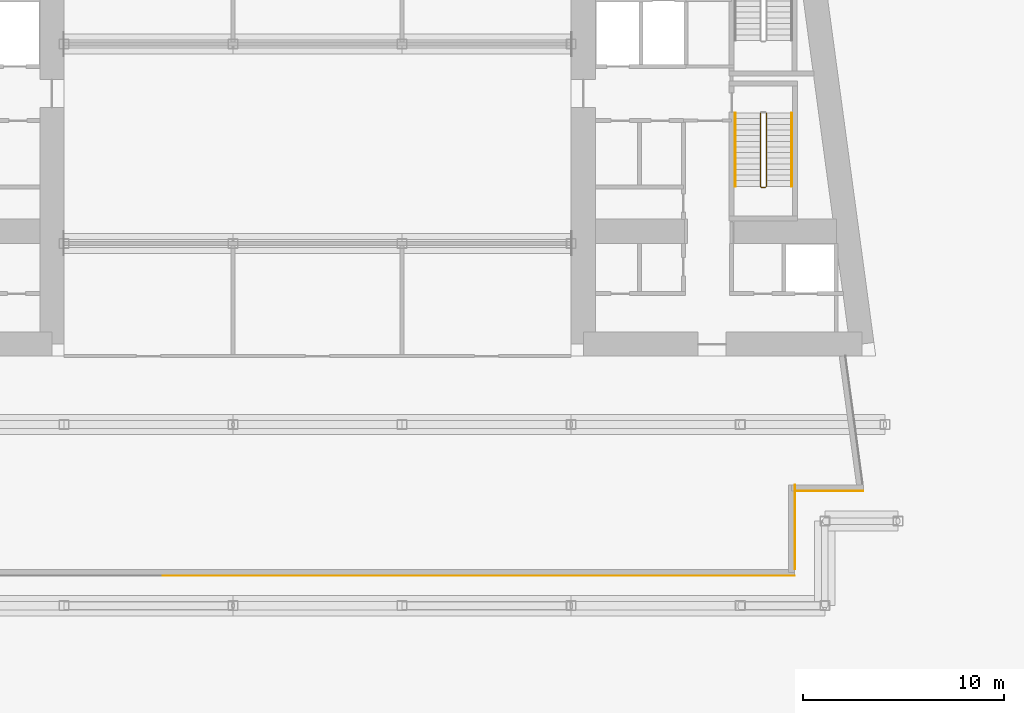
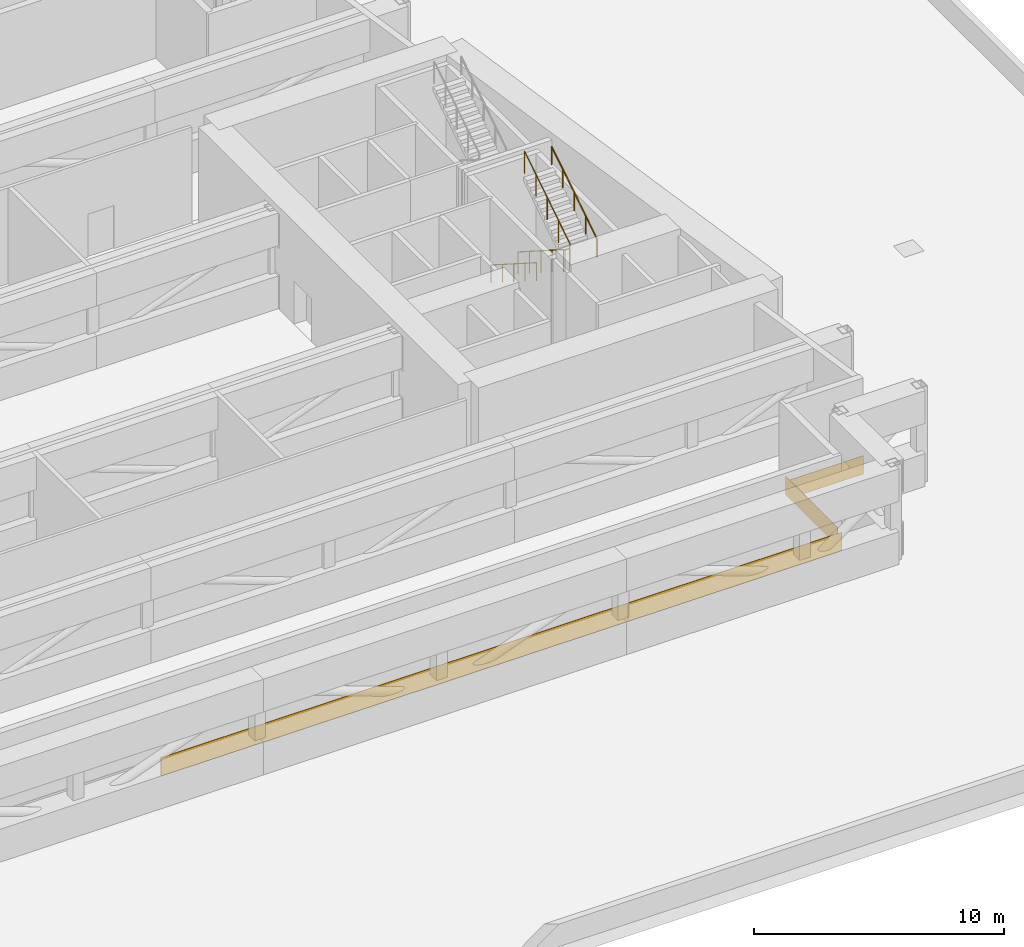
# One storey, part 23 of 26: 4 coverings, 3 railings.
"""IFC4 building model written with IfcOpenShell, lengths in metres."""

from ifc_helpers import new_model, si_unit, direction, frame, origin, origin_2d, place, context, subcontext, project, spatial, rectangle, circle, extrude, material, layer, layer_set, type_object, element, save


model = new_model("IFC4")

# Units and contexts
model_context = context("Model", 3, precision=1e-05, world=origin(), true_north=direction((0.0, 1.0)))
body_context = subcontext(model_context, "Body", "Model", "MODEL_VIEW")
ifc_project = project(units=[si_unit("LENGTHUNIT", "METRE"), si_unit("AREAUNIT", "SQUARE_METRE"), si_unit("VOLUMEUNIT", "CUBIC_METRE"), si_unit("PLANEANGLEUNIT", "RADIAN"), si_unit("MASSUNIT", "GRAM", prefix="KILO")], contexts=[model_context])

# Site, building, storey
site_placement = place(None, origin())
site = spatial("IfcSite", under=ifc_project, at=site_placement, CompositionType="ELEMENT")
building_placement = place(site_placement, origin())
building = spatial("IfcBuilding", under=site, at=building_placement, Name="Candeia Pilgrim Tower and Theatre", CompositionType="ELEMENT")
storey_placement = place(building_placement, frame((0.0, 0.0, 34.0)))
storey = spatial("IfcBuildingStorey", under=building, at=storey_placement, Name="L05", CompositionType="ELEMENT", Elevation=34.0)

# Coverings
ifc_material_1 = material(Name="Glazed ceramic tile deep red")
ifc_layer_1 = layer(ifc_material_1, 0.02001953125)
ifc_layer_set_1 = layer_set([ifc_layer_1], Name="Glazed ceramic tile deep red")
covering_type_1 = type_object("IfcCoveringType", Name="Glazed ceramic tile deep red", PredefinedType="CLADDING", material=ifc_layer_set_1)
covering_1_placement = place(storey_placement, frame((132.14990234375, 99.489990234375, 0.0), z_axis=(0.0, 0.0, 1.0), x_axis=(1.0, 0.0, 0.0)))
element("IfcCovering", 1, at=covering_1_placement, inside=storey, type_object=covering_type_1, Name="Tile cladding deep red L05", PredefinedType="CLADDING", context=body_context, shape_type="SweptSolid", body=[
    extrude(rectangle(XDim=9.89990234375, YDim=0.02001953125, at=origin_2d()), origin(), (0.0, 0.0, 1.0), 0.89990234375),
])
covering_2_placement = place(storey_placement, frame((137.110107421875, 101.909912109375, 0.0), z_axis=(0.0, 0.0, 1.0), x_axis=(0.0, 1.0, 0.0)))
element("IfcCovering", 2, at=covering_2_placement, inside=storey, type_object=covering_type_1, Name="Tile cladding deep red L05", PredefinedType="CLADDING", context=body_context, shape_type="SweptSolid", body=[
    extrude(rectangle(XDim=4.179931640625, YDim=0.02001953125, at=origin_2d()), origin(), (0.0, 0.0, 1.0), 0.89990234375),
])
covering_3_placement = place(storey_placement, frame((138.819580078125, 103.68994140625, 0.0), z_axis=(0.0, 0.0, 1.0), x_axis=(1.0, 0.0, 0.0)))
element("IfcCovering", 3, at=covering_3_placement, inside=storey, type_object=covering_type_1, Name="Tile cladding deep red L05", PredefinedType="CLADDING", context=body_context, shape_type="SweptSolid", body=[
    extrude(rectangle(XDim=3.399169921875, YDim=0.02001953125, at=origin_2d()), origin(), (0.0, 0.0, 1.0), 0.89990234375),
])
ifc_material_2 = material(Name="Glazed ceramic tile red")
ifc_layer_2 = layer(ifc_material_2, 0.02001953125)
ifc_layer_set_2 = layer_set([ifc_layer_2], Name="Glazed ceramic tile red")
covering_type_2 = type_object("IfcCoveringType", Name="Glazed ceramic tile red", PredefinedType="CLADDING", material=ifc_layer_set_2)
covering_4_placement = place(storey_placement, frame((116.39990234375, 99.489990234375, 0.0), z_axis=(0.0, 0.0, 1.0), x_axis=(1.0, 0.0, 0.0)))
element("IfcCovering", 4, at=covering_4_placement, inside=storey, type_object=covering_type_2, Name="Tile cladding red L05", PredefinedType="CLADDING", context=body_context, shape_type="SweptSolid", body=[
    extrude(rectangle(XDim=21.60009765625, YDim=0.02001953125, at=origin_2d()), origin(), (0.0, 0.0, 1.0), 0.89990234375),
])

# Railings
ifc_material_3 = material(Name="Stainless steel balustrade", Category="steel")
railing_type_1 = type_object("IfcRailingType", Name="RL-GUARD-1100", PredefinedType="GUARDRAIL", material=ifc_material_3)
railing_1_placement = place(storey_placement, frame((135.39794921875, 122.47509765625, 0.178466796875)))
element("IfcRailing", 5, at=railing_1_placement, inside=storey, type_object=railing_type_1, Name="L05 ST3 stair guard 1", PredefinedType="GUARDRAIL", context=body_context, shape_type="SweptSolid", body=[
    extrude(circle(Radius=0.02392578125, at=origin_2d()), frame((0.0, 0.0, 1.076171875), z_axis=(0.0, -0.843127859045, 0.537713132908), x_axis=(1.0, 0.0, 0.0)), (0.0, 0.0, 1.0), 4.3173828125),
    extrude(circle(Radius=0.02392578125, at=origin_2d()), frame((0.0, -3.64013671875, 3.3974609375), z_axis=(0.707106781187, -0.707106781187, 0.0), x_axis=(0.707106781187, 0.707106781187, 0.0)), (0.0, 0.0, 1.0), 0.07080078125),
    extrude(circle(Radius=0.02392578125, at=origin_2d()), frame((0.050048828125, -3.690185546875, 3.3974609375), z_axis=(1.0, 0.0, 0.0), x_axis=(0.0, 1.0, 0.0)), (0.0, 0.0, 1.0), 0.199951171875),
    extrude(circle(Radius=0.02392578125, at=origin_2d()), frame((0.25, -3.690185546875, 3.3974609375), z_axis=(0.260684529273, 0.260684529273, 0.929562882432), x_axis=(-0.707106781187, 0.707106781187, 0.0)), (0.0, 0.0, 1.0), 0.19189453125),
    extrude(circle(Radius=0.02392578125, at=origin_2d()), frame((0.300048828125, -3.64013671875, 3.576171875), z_axis=(0.0, 0.843127859045, 0.537713132908), x_axis=(-1.0, 0.0, 0.0)), (0.0, 0.0, 1.0), 4.3173828125),
    extrude(circle(Radius=0.02099609375, at=origin_2d()), origin(), (0.0, 0.0, 1.0), 1.052001953125),
    extrude(circle(Radius=0.02099609375, at=origin_2d()), frame((0.0, -0.91015625, 0.580322265625)), (0.0, 0.0, 1.0), 1.052001953125),
    extrude(circle(Radius=0.02099609375, at=origin_2d()), frame((0.0, -1.820068359375, 1.16064453125)), (0.0, 0.0, 1.0), 1.052001953125),
    extrude(circle(Radius=0.02099609375, at=origin_2d()), frame((0.0, -2.72998046875, 1.7412109375)), (0.0, 0.0, 1.0), 1.052001953125),
    extrude(circle(Radius=0.02099609375, at=origin_2d()), frame((0.0, -3.64013671875, 2.321533203125)), (0.0, 0.0, 1.0), 1.052001953125),
    extrude(circle(Radius=0.02099609375, at=origin_2d()), frame((0.050048828125, -3.690185546875, 2.321533203125)), (0.0, 0.0, 1.0), 1.052001953125),
    extrude(circle(Radius=0.02099609375, at=origin_2d()), frame((0.25, -3.690185546875, 2.321533203125)), (0.0, 0.0, 1.0), 1.052001953125),
    extrude(circle(Radius=0.02099609375, at=origin_2d()), frame((0.300048828125, -3.64013671875, 2.5)), (0.0, 0.0, 1.0), 1.052001953125),
    extrude(circle(Radius=0.02099609375, at=origin_2d()), frame((0.300048828125, -2.72998046875, 3.080322265625)), (0.0, 0.0, 1.0), 1.052001953125),
    extrude(circle(Radius=0.02099609375, at=origin_2d()), frame((0.300048828125, -1.820068359375, 3.66064453125)), (0.0, 0.0, 1.0), 1.052001953125),
    extrude(circle(Radius=0.02099609375, at=origin_2d()), frame((0.300048828125, -0.91015625, 4.2412109375)), (0.0, 0.0, 1.0), 1.052001953125),
    extrude(circle(Radius=0.02099609375, at=origin_2d()), frame((0.300048828125, 0.0, 4.821533203125)), (0.0, 0.0, 1.0), 1.052001953125),
])
ifc_material_4 = material(Name="Stainless steel handrail", Category="steel")
railing_type_2 = type_object("IfcRailingType", Name="RL-HANDRAIL-900", PredefinedType="HANDRAIL", material=ifc_material_4)
railing_2_placement = place(storey_placement, frame((134.14794921875, 122.47509765625, 0.178466796875)))
element("IfcRailing", 6, at=railing_2_placement, inside=storey, type_object=railing_type_2, Name="L05 ST3 stair handrail 1", PredefinedType="HANDRAIL", context=body_context, shape_type="SweptSolid", body=[
    extrude(circle(Radius=0.02392578125, at=origin_2d()), frame((0.0, 0.0, 0.8759765625), z_axis=(0.0, -0.843127859045, 0.537713132908), x_axis=(1.0, 0.0, 0.0)), (0.0, 0.0, 1.0), 4.3173828125),
    extrude(circle(Radius=0.02099609375, at=origin_2d()), origin(), (0.0, 0.0, 1.0), 0.851806640625),
    extrude(circle(Radius=0.02099609375, at=origin_2d()), frame((0.0, -0.91015625, 0.580322265625)), (0.0, 0.0, 1.0), 0.851806640625),
    extrude(circle(Radius=0.02099609375, at=origin_2d()), frame((0.0, -1.820068359375, 1.16064453125)), (0.0, 0.0, 1.0), 0.851806640625),
    extrude(circle(Radius=0.02099609375, at=origin_2d()), frame((0.0, -2.72998046875, 1.7412109375)), (0.0, 0.0, 1.0), 0.851806640625),
    extrude(circle(Radius=0.02099609375, at=origin_2d()), frame((0.0, -3.64013671875, 2.321533203125)), (0.0, 0.0, 1.0), 0.851806640625),
])
railing_3_placement = place(storey_placement, frame((136.947998046875, 118.8349609375, 2.678466796875)))
element("IfcRailing", 7, at=railing_3_placement, inside=storey, type_object=railing_type_2, Name="L05 ST3 stair handrail 2", PredefinedType="HANDRAIL", context=body_context, shape_type="SweptSolid", body=[
    extrude(circle(Radius=0.02392578125, at=origin_2d()), frame((0.0, 0.0, 0.8759765625), z_axis=(0.0, 0.843127859045, 0.537713132908), x_axis=(-1.0, 0.0, 0.0)), (0.0, 0.0, 1.0), 4.3173828125),
    extrude(circle(Radius=0.02099609375, at=origin_2d()), origin(), (0.0, 0.0, 1.0), 0.851806640625),
    extrude(circle(Radius=0.02099609375, at=origin_2d()), frame((0.0, 0.91015625, 0.580322265625)), (0.0, 0.0, 1.0), 0.851806640625),
    extrude(circle(Radius=0.02099609375, at=origin_2d()), frame((0.0, 1.820068359375, 1.16064453125)), (0.0, 0.0, 1.0), 0.851806640625),
    extrude(circle(Radius=0.02099609375, at=origin_2d()), frame((0.0, 2.72998046875, 1.7412109375)), (0.0, 0.0, 1.0), 0.851806640625),
    extrude(circle(Radius=0.02099609375, at=origin_2d()), frame((0.0, 3.64013671875, 2.321533203125)), (0.0, 0.0, 1.0), 0.851806640625),
])

save(model, "model.ifc")
